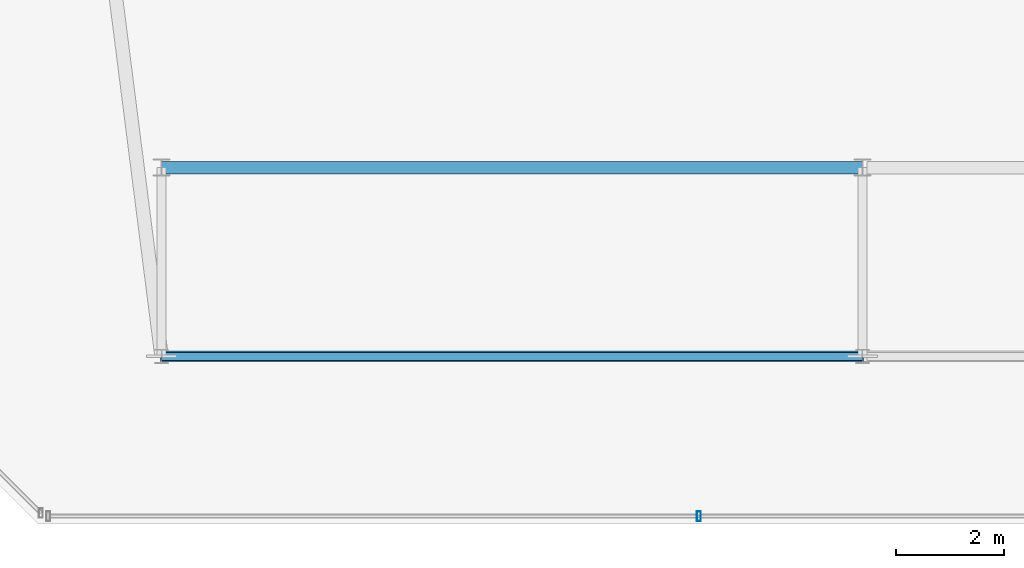
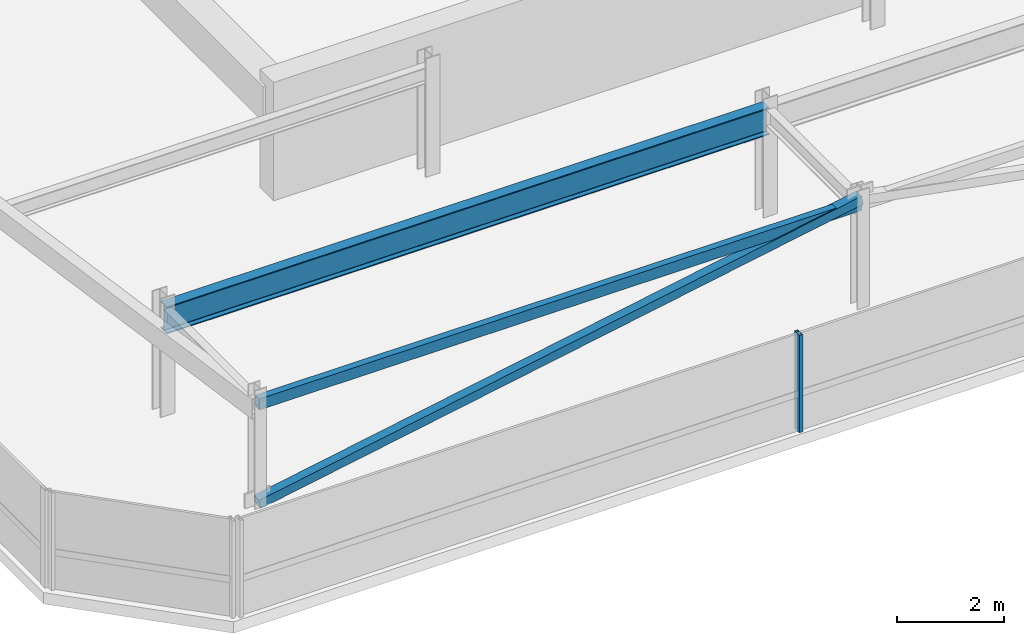
# One storey, part 10 of 44: 2 beams, 2 members, 1 element without a shape of its own.
"""IFC4 building model written with IfcOpenShell, lengths in metres."""

from ifc_helpers import new_model, si_unit, direction, frame, origin, origin_2d, place, context, subcontext, project, spatial, hollow_rectangle, i_section, extrude, material, material_profile, profile_set, type_object, element, aggregate, save


model = new_model("IFC4")

# Units and contexts
model_context = context("Model", 3, precision=1e-05, world=origin(), true_north=direction((0.0, 1.0)))
body_context = subcontext(model_context, "Body", "Model", "MODEL_VIEW")
ifc_project = project(units=[si_unit("LENGTHUNIT", "METRE"), si_unit("AREAUNIT", "SQUARE_METRE"), si_unit("VOLUMEUNIT", "CUBIC_METRE"), si_unit("PLANEANGLEUNIT", "RADIAN"), si_unit("MASSUNIT", "GRAM", prefix="KILO")], contexts=[model_context])

# Site, building, storey
site_placement = place(None, origin())
site = spatial("IfcSite", under=ifc_project, at=site_placement, CompositionType="ELEMENT")
building_placement = place(site_placement, origin())
building = spatial("IfcBuilding", under=site, at=building_placement, Name="Thornwick Lancets Civic Towers", CompositionType="ELEMENT")
storey_placement = place(building_placement, frame((0.0, 0.0, 292.199951171875)))
storey = spatial("IfcBuildingStorey", under=building, at=storey_placement, Name="C05", CompositionType="ELEMENT", Elevation=292.199951171875)

# Beams
ifc_material_1 = material(Name="Steel S355JR", Category="steel")
ifc_material_profile_1 = material_profile(ifc_material_1, hollow_rectangle(XDim=0.14990234375, YDim=0.25, WallThickness=0.012451171875, at=origin_2d()), Name="RHS 250x150x12.5")
ifc_profile_set_1 = profile_set([ifc_material_profile_1], Name="Steel S355JR")
beam_type_1 = type_object("IfcBeamType", Name="BM_CROWN_RHS250", PredefinedType="BEAM", material=ifc_profile_set_1)
beam_1_placement = place(storey_placement, frame((12.5, 6.199951171875, 2.31494140625), z_axis=(1.0, 0.0, 0.0), x_axis=(0.0, 1.0, 0.0)))
element("IfcBeam", 1, at=beam_1_placement, inside=storey, type_object=beam_type_1, Name="BM-EDGE-C05-A-S0-1", PredefinedType="BEAM", context=body_context, shape_type="SweptSolid", body=[
    extrude(hollow_rectangle(XDim=0.14990234375, YDim=0.25, WallThickness=0.012451171875, at=origin_2d()), origin(), (0.0, 0.0, 1.0), 13.0),
])
ifc_material_profile_2 = material_profile(ifc_material_1, i_section(OverallWidth=0.230224609375, OverallDepth=0.6171875, WebThickness=0.01318359375, FlangeThickness=0.022216796875, FilletRadius=0.0126953125, at=origin_2d()), Name="UKB 610x229x140")
ifc_profile_set_2 = profile_set([ifc_material_profile_2], Name="Steel S355JR")
beam_type_2 = type_object("IfcBeamType", Name="BM_GIRD_610_140", PredefinedType="BEAM", material=ifc_profile_set_2)
beam_2_placement = place(storey_placement, frame((12.5, 9.699951171875, 2.13134765625), z_axis=(1.0, 0.0, 0.0), x_axis=(0.0, 1.0, 0.0)))
element("IfcBeam", 2, at=beam_2_placement, inside=storey, type_object=beam_type_2, Name="BM-SPINE-C05-A-0-1", PredefinedType="BEAM", context=body_context, shape_type="SweptSolid", body=[
    extrude(i_section(OverallWidth=0.230224609375, OverallDepth=0.6171875, WebThickness=0.01318359375, FlangeThickness=0.022216796875, FilletRadius=0.0126953125, at=origin_2d()), origin(), (0.0, 0.0, 1.0), 13.0),
])

# Curtain wall, member
ifc_material_2 = material(Name="Crown ring acoustic-louvre and glazing screen wall", Category="glass")
curtain_wall_type = type_object("IfcCurtainWallType", Name="CW_SYS_07", PredefinedType="NOTDEFINED", material=ifc_material_2)
curtain_wall_placement = place(storey_placement, origin())
curtain_wall = element("IfcCurtainWall", 3, at=curtain_wall_placement, inside=storey, type_object=curtain_wall_type, Name="C05 Curtain Wall CW-C05-A-E0", PredefinedType="NOTDEFINED")
ifc_material_3 = material(Name="Thermally broken bronze aluminium S355", Category="steel")
ifc_material_profile_3 = material_profile(ifc_material_3, hollow_rectangle(XDim=0.074951171875, YDim=0.179931640625, WallThickness=0.006103515625, at=origin_2d()), Name="RHS 180x75x6")
ifc_profile_set_3 = profile_set([ifc_material_profile_3], Name="Thermally broken bronze aluminium S355")
member_type_1 = type_object("IfcMemberType", Name="CW_MUL_180", PredefinedType="MULLION", material=ifc_profile_set_3)
member_1_placement = place(storey_placement, frame((22.46630859375, 3.2353515625, 0.0), z_axis=(0.0, 0.0, 1.0), x_axis=(1.0, 0.0, 0.0)))
member_1 = element("IfcMember", 4, at=member_1_placement, type_object=member_type_1, Name="CW-C05-A-E0 Mullion 1", PredefinedType="MULLION", context=body_context, shape_type="SweptSolid", body=[
    extrude(hollow_rectangle(XDim=0.074951171875, YDim=0.179931640625, WallThickness=0.006103515625, at=origin_2d()), origin(), (0.0, 0.0, 1.0), 2.219970703125),
])
aggregate(curtain_wall, [member_1])

# Member
ifc_material_profile_4 = material_profile(ifc_material_1, hollow_rectangle(XDim=0.199951171875, YDim=0.199951171875, WallThickness=0.012451171875, at=origin_2d()), Name="SHS 200x200x12.5")
ifc_profile_set_4 = profile_set([ifc_material_profile_4], Name="Steel S355JR")
member_type_2 = type_object("IfcMemberType", Name="MEM_CROWN_SHS200", PredefinedType="BRACE", material=ifc_profile_set_4)
member_2_placement = place(storey_placement, frame((12.5, 6.199951171875, 0.050048828125), z_axis=(0.98351842104, 0.0, 0.180807951915), x_axis=(0.0, 1.0, 0.0)))
element("IfcMember", 5, at=member_2_placement, inside=storey, type_object=member_type_2, Name="C05 Crown Ring Lancet Rib A-S0-L", PredefinedType="BRACE", context=body_context, shape_type="SweptSolid", body=[
    extrude(hollow_rectangle(XDim=0.199951171875, YDim=0.199951171875, WallThickness=0.012451171875, at=origin_2d()), origin(), (0.0, 0.0, 1.0), 13.2177734375),
])

save(model, "model.ifc")
